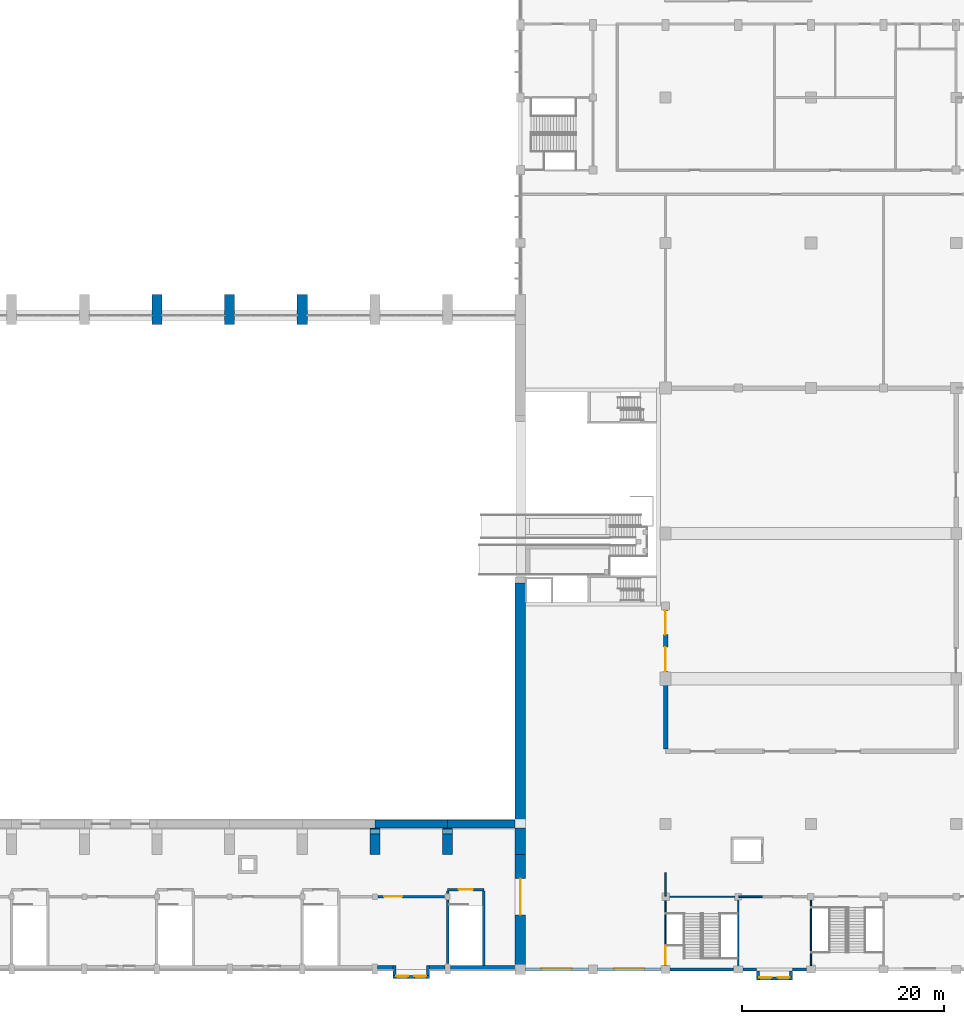
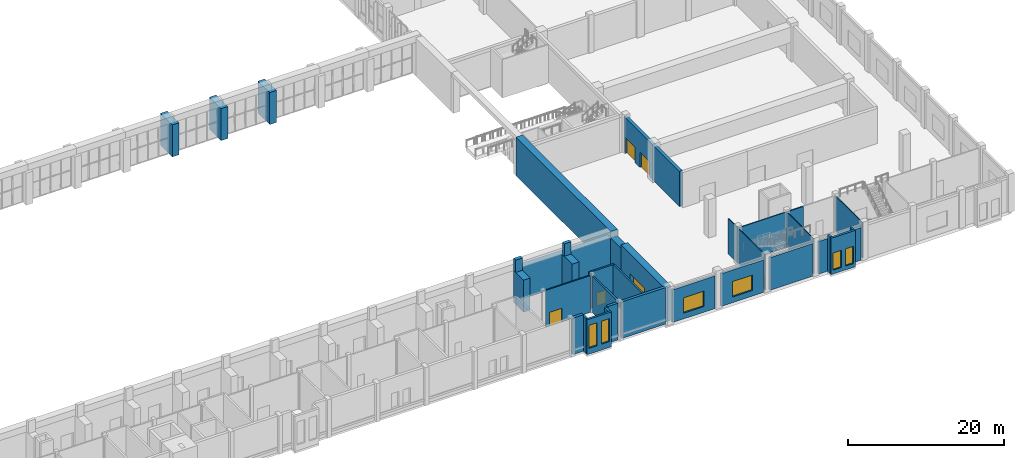
# One storey, part 32 of 44: 38 walls, 6 doors, 6 windows, 12 openings.
"""IFC4 building model written with IfcOpenShell, lengths in metres."""

from ifc_helpers import new_model, si_unit, direction, frame, frame_2d, origin, place, context, subcontext, project, spatial, rectangle, extrude, material, layer, layer_set, type_object, element, fill, save


model = new_model("IFC4")

# Units and contexts
model_context = context("Model", 3, precision=1e-05, world=origin(), true_north=direction((0.0, 1.0)))
body_context = subcontext(model_context, "Body", "Model", "MODEL_VIEW")
ifc_project = project(units=[si_unit("LENGTHUNIT", "METRE"), si_unit("AREAUNIT", "SQUARE_METRE"), si_unit("VOLUMEUNIT", "CUBIC_METRE"), si_unit("PLANEANGLEUNIT", "RADIAN"), si_unit("MASSUNIT", "GRAM", prefix="KILO")], contexts=[model_context])

# Site, building, storey
site_placement = place(None, origin())
site = spatial("IfcSite", under=ifc_project, at=site_placement, CompositionType="ELEMENT")
building_placement = place(site_placement, origin())
building = spatial("IfcBuilding", under=site, at=building_placement, Name="Vermilion Court Aquatics Centre", CompositionType="ELEMENT")
storey_placement = place(building_placement, frame((0.0, 0.0, 6.0)))
storey = spatial("IfcBuildingStorey", under=building, at=storey_placement, Name="L01", CompositionType="ELEMENT", Elevation=6.0)

# Wall
ifc_material_1 = material(Name="Concrete 5000 psi", Category="concrete")
ifc_layer_1 = layer(ifc_material_1, 1.0)
ifc_layer_set_1 = layer_set([ifc_layer_1], Name="Envelope east gable separation wall 1000")
wall_type_1 = type_object("IfcWallType", Name="Envelope east gable separation wall 1000", PredefinedType="SOLIDWALL", material=ifc_layer_set_1)
wall_1_placement = place(storey_placement, frame((144.0, 14.0, 0.0), z_axis=(0.0, 0.0, 1.0), x_axis=(0.0, 1.0, 0.0)))
element("IfcWall", 1, at=wall_1_placement, inside=storey, type_object=wall_type_1, Name="Gable wall east L01 south jamb", PredefinedType="SOLIDWALL", context=body_context, shape_type="SweptSolid", body=[
    extrude(rectangle(XDim=24.300048828125, YDim=1.0, at=frame_2d((12.14990234375, 0.0))), origin(), (0.0, 0.0, 1.0), 6.0),
])

# Wall, opening, window
ifc_material_2 = material(Name="Brick masonry", Category="masonry")
ifc_layer_2 = layer(ifc_material_2, 0.300048828125)
ifc_layer_set_2 = layer_set([ifc_layer_2], Name="Podium facade brick wall 300")
wall_type_2 = type_object("IfcWallType", Name="Podium facade brick wall 300", PredefinedType="SOLIDWALL", material=ifc_layer_set_2)
wall_2_placement = place(storey_placement, frame((144.449951171875, 0.0, 0.0), z_axis=(0.0, 0.0, 1.0), x_axis=(1.0, 0.0, 0.0)))
wall_2 = element("IfcWall", 2, at=wall_2_placement, inside=storey, type_object=wall_type_2, Name="Facade wall L01", PredefinedType="SOLIDWALL", context=body_context, shape_type="SweptSolid", body=[
    extrude(rectangle(XDim=6.300048828125, YDim=0.300048828125, at=frame_2d((3.14990234375, 0.0))), origin(), (0.0, 0.0, 1.0), 5.10009765625),
])
opening_1_placement = place(wall_2_placement, frame((1.64990234375, 0.0, 0.89990234375)))
opening_1 = element("IfcOpeningElement", 3, at=opening_1_placement, cuts=wall_2, Name="Opening PN1", PredefinedType="OPENING", context=body_context, shape_type="SweptSolid", body=[
    extrude(rectangle(XDim=3.0, YDim=2.39990234375, at=frame_2d((1.5, 1.199951171875))), frame((0.0, 0.159912109375, 0.0), z_axis=(0.0, -1.0, 0.0), x_axis=(1.0, 0.0, 0.0)), (0.0, 0.0, 1.0), 0.320068359375),
])
ifc_material_3 = material(Name="Aluminium 6063-T5", Category="aluminium")
window_type_1 = type_object("IfcWindowType", Name="Podium window 3000x2400", PartitioningType="DOUBLE_PANEL_VERTICAL", PredefinedType="WINDOW", material=ifc_material_3)
window_1_placement = place(opening_1_placement, origin())
window_1 = element("IfcWindow", 4, at=window_1_placement, inside=storey, type_object=window_type_1, Name="Window L01", OverallHeight=2.39990234375, OverallWidth=3.0, PartitioningType="DOUBLE_PANEL_VERTICAL", PredefinedType="WINDOW", context=body_context, shape_type="SweptSolid", body=[
    extrude(rectangle(XDim=3.0, YDim=2.39990234375, at=frame_2d((1.5, 1.199951171875))), frame((0.0, 0.1201171875, 0.0), z_axis=(0.0, -1.0, 0.0), x_axis=(1.0, 0.0, 0.0)), (0.0, 0.0, 1.0), 0.06005859375),
])
fill(opening_1, window_1)

wall_3_placement = place(storey_placement, frame((151.64990234375, 0.0, 0.0), z_axis=(0.0, 0.0, 1.0), x_axis=(1.0, 0.0, 0.0)))
wall_3 = element("IfcWall", 5, at=wall_3_placement, inside=storey, type_object=wall_type_2, Name="Facade wall L01", PredefinedType="SOLIDWALL", context=body_context, shape_type="SweptSolid", body=[
    extrude(rectangle(XDim=6.300048828125, YDim=0.300048828125, at=frame_2d((3.14990234375, 0.0))), origin(), (0.0, 0.0, 1.0), 5.10009765625),
])
opening_2_placement = place(wall_3_placement, frame((1.64990234375, 0.0, 0.89990234375)))
opening_2 = element("IfcOpeningElement", 6, at=opening_2_placement, cuts=wall_3, Name="Opening PN1", PredefinedType="OPENING", context=body_context, shape_type="SweptSolid", body=[
    extrude(rectangle(XDim=3.0, YDim=2.39990234375, at=frame_2d((1.5, 1.199951171875))), frame((0.0, 0.159912109375, 0.0), z_axis=(0.0, -1.0, 0.0), x_axis=(1.0, 0.0, 0.0)), (0.0, 0.0, 1.0), 0.320068359375),
])
window_2_placement = place(opening_2_placement, origin())
window_2 = element("IfcWindow", 7, at=window_2_placement, inside=storey, type_object=window_type_1, Name="Window L01", OverallHeight=2.39990234375, OverallWidth=3.0, PartitioningType="DOUBLE_PANEL_VERTICAL", PredefinedType="WINDOW", context=body_context, shape_type="SweptSolid", body=[
    extrude(rectangle(XDim=3.0, YDim=2.39990234375, at=frame_2d((1.5, 1.199951171875))), frame((0.0, 0.1201171875, 0.0), z_axis=(0.0, -1.0, 0.0), x_axis=(1.0, 0.0, 0.0)), (0.0, 0.0, 1.0), 0.06005859375),
])
fill(opening_2, window_2)

# Walls
wall_4_placement = place(storey_placement, frame((158.85009765625, 0.0, 0.0), z_axis=(0.0, 0.0, 1.0), x_axis=(1.0, 0.0, 0.0)))
element("IfcWall", 8, at=wall_4_placement, inside=storey, type_object=wall_type_2, Name="Facade wall L01", PredefinedType="SOLIDWALL", context=body_context, shape_type="SweptSolid", body=[
    extrude(rectangle(XDim=6.2998046875, YDim=0.300048828125, at=frame_2d((3.14990234375, 0.0))), origin(), (0.0, 0.0, 1.0), 5.10009765625),
])
wall_5_placement = place(storey_placement, frame((166.050048828125, 0.0, 0.0), z_axis=(0.0, 0.0, 1.0), x_axis=(1.0, 0.0, 0.0)))
element("IfcWall", 9, at=wall_5_placement, inside=storey, type_object=wall_type_2, Name="Facade wall L01", PredefinedType="SOLIDWALL", context=body_context, shape_type="SweptSolid", body=[
    extrude(rectangle(XDim=1.349853515625, YDim=0.300048828125, at=frame_2d((0.6748046875, 0.0))), origin(), (0.0, 0.0, 1.0), 5.10009765625),
])
wall_6_placement = place(storey_placement, frame((171.0, 0.0, 0.0), z_axis=(0.0, 0.0, 1.0), x_axis=(1.0, 0.0, 0.0)))
element("IfcWall", 10, at=wall_6_placement, inside=storey, type_object=wall_type_2, Name="Facade wall L01", PredefinedType="SOLIDWALL", context=body_context, shape_type="SweptSolid", body=[
    extrude(rectangle(XDim=1.35009765625, YDim=0.300048828125, at=frame_2d((0.675048828125, 0.0))), origin(), (0.0, 0.0, 1.0), 5.10009765625),
])

# Wall, openings, doors
ifc_material_4 = material(Name="Concrete masonry ASTM C90 Type I", Category="masonry")
ifc_layer_3 = layer(ifc_material_4, 0.449951171875)
ifc_layer_set_3 = layer_set([ifc_layer_3], Name="Podium fitness hall acoustic wall 450, 1 hr")
wall_type_3 = type_object("IfcWallType", Name="Podium fitness hall acoustic wall 450, 1 hr", PredefinedType="PARTITIONING", material=ifc_layer_set_3)
wall_7_placement = place(storey_placement, frame((158.39990234375, 21.824951171875, 0.0), z_axis=(0.0, 0.0, 1.0), x_axis=(0.0, 1.0, 0.0)))
wall_7 = element("IfcWall", 11, at=wall_7_placement, inside=storey, type_object=wall_type_3, Name="Fitness hall acoustic wall", PredefinedType="PARTITIONING", context=body_context, shape_type="SweptSolid", body=[
    extrude(rectangle(XDim=14.175048828125, YDim=0.449951171875, at=frame_2d((7.08740234375, 0.0))), origin(), (0.0, 0.0, 1.0), 5.5),
])
opening_3_placement = place(wall_7_placement, frame((7.701904296875, 0.0, 0.0)))
opening_3 = element("IfcOpeningElement", 12, at=opening_3_placement, cuts=wall_7, Name="Opening P01-009", PredefinedType="OPENING", context=body_context, shape_type="SweptSolid", body=[
    extrude(rectangle(XDim=2.39990234375, YDim=2.39990234375, at=frame_2d((1.199951171875, 1.199951171875))), frame((0.0, 0.23486328125, 0.0), z_axis=(0.0, -1.0, 0.0), x_axis=(1.0, 0.0, 0.0)), (0.0, 0.0, 1.0), 0.469970703125),
])
opening_4_placement = place(wall_7_placement, frame((11.3525390625, 0.0, 0.0)))
opening_4 = element("IfcOpeningElement", 13, at=opening_4_placement, cuts=wall_7, Name="Opening P01-010", PredefinedType="OPENING", context=body_context, shape_type="SweptSolid", body=[
    extrude(rectangle(XDim=2.39990234375, YDim=2.39990234375, at=frame_2d((1.199951171875, 1.199951171875))), frame((0.0, 0.23486328125, 0.0), z_axis=(0.0, -1.0, 0.0), x_axis=(1.0, 0.0, 0.0)), (0.0, 0.0, 1.0), 0.469970703125),
])
ifc_material_5 = material(Name="Hollow metal")
door_type_1 = type_object("IfcDoorType", Name="Podium fire door fitness hall pair 2400x2400, 60 min", OperationType="DOUBLE_DOOR_SINGLE_SWING", PredefinedType="DOOR", material=ifc_material_5)
door_1_placement = place(opening_3_placement, origin())
door_1 = element("IfcDoor", 14, at=door_1_placement, inside=storey, type_object=door_type_1, Name="Door", OperationType="DOUBLE_DOOR_SINGLE_SWING", OverallHeight=2.39990234375, OverallWidth=2.39990234375, PredefinedType="DOOR", context=body_context, shape_type="SweptSolid", body=[
    extrude(rectangle(XDim=2.39990234375, YDim=2.39990234375, at=frame_2d((1.199951171875, 1.199951171875))), frame((0.0, 0.02490234375, 0.0), z_axis=(0.0, -1.0, 0.0), x_axis=(1.0, 0.0, 0.0)), (0.0, 0.0, 1.0), 0.050048828125),
])
fill(opening_3, door_1)
door_2_placement = place(opening_4_placement, origin())
door_2 = element("IfcDoor", 15, at=door_2_placement, inside=storey, type_object=door_type_1, Name="Door", OperationType="DOUBLE_DOOR_SINGLE_SWING", OverallHeight=2.39990234375, OverallWidth=2.39990234375, PredefinedType="DOOR", context=body_context, shape_type="SweptSolid", body=[
    extrude(rectangle(XDim=2.39990234375, YDim=2.39990234375, at=frame_2d((1.199951171875, 1.199951171875))), frame((0.0, 0.02490234375, 0.0), z_axis=(0.0, -1.0, 0.0), x_axis=(1.0, 0.0, 0.0)), (0.0, 0.0, 1.0), 0.050048828125),
])
fill(opening_4, door_2)

# Walls
ifc_material_6 = material(Name="Gypsum board")
ifc_layer_4 = layer(ifc_material_6, 0.14990234375)
ifc_layer_set_4 = layer_set([ifc_layer_4], Name="Podium partition wall 150")
wall_type_4 = type_object("IfcWallType", Name="Podium partition wall 150", PredefinedType="PARTITIONING", material=ifc_layer_set_4)
wall_8_placement = place(storey_placement, frame((158.39990234375, 7.262451171875, 0.0), z_axis=(0.0, 0.0, 1.0), x_axis=(0.0, 1.0, 0.0)))
element("IfcWall", 16, at=wall_8_placement, inside=storey, type_object=wall_type_4, Name="Partition", PredefinedType="PARTITIONING", context=body_context, shape_type="SweptSolid", body=[
    extrude(rectangle(XDim=2.337646484375, YDim=0.14990234375, at=frame_2d((1.1689453125, 0.0))), origin(), (0.0, 0.0, 1.0), 5.5),
])
wall_9_placement = place(storey_placement, frame((165.66259765625, 7.199951171875, 0.0), z_axis=(0.0, 0.0, 1.0), x_axis=(1.0, 0.0, 0.0)))
element("IfcWall", 17, at=wall_9_placement, inside=storey, type_object=wall_type_4, Name="Partition", PredefinedType="PARTITIONING", context=body_context, shape_type="SweptSolid", body=[
    extrude(rectangle(XDim=2.33740234375, YDim=0.14990234375, at=frame_2d((1.168701171875, 0.0))), origin(), (0.0, 0.0, 1.0), 5.5),
])

# Wall, openings, windows
ifc_material_7 = material(Name="Brick masonry", Category="masonry")
ifc_layer_5 = layer(ifc_material_7, 0.300048828125)
ifc_layer_set_5 = layer_set([ifc_layer_5], Name="Podium projecting bay wall 300")
wall_type_5 = type_object("IfcWallType", Name="Podium projecting bay wall 300", PredefinedType="SOLIDWALL", material=ifc_layer_set_5)
wall_10_placement = place(storey_placement, frame((167.39990234375, -0.89990234375, 0.0), z_axis=(0.0, 0.0, 1.0), x_axis=(1.0, 0.0, 0.0)))
wall_10 = element("IfcWall", 18, at=wall_10_placement, inside=storey, type_object=wall_type_5, Name="Projecting bay front wall L01", PredefinedType="SOLIDWALL", context=body_context, shape_type="SweptSolid", body=[
    extrude(rectangle(XDim=3.60009765625, YDim=0.300048828125, at=frame_2d((1.800048828125, 0.0))), origin(), (0.0, 0.0, 1.0), 5.699951171875),
])
opening_5_placement = place(wall_10_placement, frame((0.300048828125, 0.0, 0.60009765625)))
opening_5 = element("IfcOpeningElement", 19, at=opening_5_placement, cuts=wall_10, Name="Opening PN9", PredefinedType="OPENING", context=body_context, shape_type="SweptSolid", body=[
    extrude(rectangle(XDim=1.199951171875, YDim=2.699951171875, at=frame_2d((0.60009765625, 1.35009765625))), frame((0.0, 0.159912109375, 0.0), z_axis=(0.0, -1.0, 0.0), x_axis=(1.0, 0.0, 0.0)), (0.0, 0.0, 1.0), 0.320068359375),
])
opening_6_placement = place(wall_10_placement, frame((2.10009765625, 0.0, 0.60009765625)))
opening_6 = element("IfcOpeningElement", 20, at=opening_6_placement, cuts=wall_10, Name="Opening PN9", PredefinedType="OPENING", context=body_context, shape_type="SweptSolid", body=[
    extrude(rectangle(XDim=1.199951171875, YDim=2.699951171875, at=frame_2d((0.60009765625, 1.35009765625))), frame((0.0, 0.159912109375, 0.0), z_axis=(0.0, -1.0, 0.0), x_axis=(1.0, 0.0, 0.0)), (0.0, 0.0, 1.0), 0.320068359375),
])
ifc_material_8 = material(Name="Aluminium 6063-T5", Category="aluminium")
window_type_2 = type_object("IfcWindowType", Name="Podium window 1200x2700", PartitioningType="SINGLE_PANEL", PredefinedType="WINDOW", material=ifc_material_8)
window_3_placement = place(opening_5_placement, origin())
window_3 = element("IfcWindow", 21, at=window_3_placement, inside=storey, type_object=window_type_2, Name="Bay window L01", OverallHeight=2.699951171875, OverallWidth=1.199951171875, PartitioningType="SINGLE_PANEL", PredefinedType="WINDOW", context=body_context, shape_type="SweptSolid", body=[
    extrude(rectangle(XDim=1.199951171875, YDim=2.699951171875, at=frame_2d((0.60009765625, 1.35009765625))), frame((0.0, 0.1201171875, 0.0), z_axis=(0.0, -1.0, 0.0), x_axis=(1.0, 0.0, 0.0)), (0.0, 0.0, 1.0), 0.06005859375),
])
fill(opening_5, window_3)
window_4_placement = place(opening_6_placement, origin())
window_4 = element("IfcWindow", 22, at=window_4_placement, inside=storey, type_object=window_type_2, Name="Bay window L01", OverallHeight=2.699951171875, OverallWidth=1.199951171875, PartitioningType="SINGLE_PANEL", PredefinedType="WINDOW", context=body_context, shape_type="SweptSolid", body=[
    extrude(rectangle(XDim=1.199951171875, YDim=2.699951171875, at=frame_2d((0.60009765625, 1.35009765625))), frame((0.0, 0.1201171875, 0.0), z_axis=(0.0, -1.0, 0.0), x_axis=(1.0, 0.0, 0.0)), (0.0, 0.0, 1.0), 0.06005859375),
])
fill(opening_6, window_4)

# Walls
for number, where, z_axis, x_axis, name in (
    (23, (167.550048828125, -0.75, 0.0), (0.0, 0.0, 1.0), (0.0, 1.0, 0.0), "Projecting bay side wall L01"),
    (24, (170.85009765625, -0.75, 0.0), (0.0, 0.0, 1.0), (0.0, 1.0, 0.0), "Projecting bay side wall L01"),
):
    element("IfcWall", number, at=place(storey_placement, frame(where, z_axis=z_axis, x_axis=x_axis)), inside=storey, type_object=wall_type_5, Name=name, PredefinedType="SOLIDWALL", context=body_context, shape_type="SweptSolid", body=[
        extrude(rectangle(XDim=0.60009765625, YDim=0.300048828125, at=frame_2d((0.300048828125, 0.0))), origin(), (0.0, 0.0, 1.0), 5.699951171875),
    ])

# Wall, opening, door
ifc_material_9 = material(Name="Concrete 5000 psi", Category="concrete")
ifc_layer_6 = layer(ifc_material_9, 0.125)
ifc_layer_set_6 = layer_set([ifc_layer_6], Name="Podium stair enclosure wall 125, 2 hr")
wall_type_6 = type_object("IfcWallType", Name="Podium stair enclosure wall 125, 2 hr", PredefinedType="SOLIDWALL", material=ifc_layer_set_6)
wall_11_placement = place(storey_placement, frame((158.39990234375, 0.14990234375, 0.0), z_axis=(0.0, 0.0, 1.0), x_axis=(0.0, 1.0, 0.0)))
wall_11 = element("IfcWall", 25, at=wall_11_placement, inside=storey, type_object=wall_type_6, Name="Stair enclosure wall", PredefinedType="SOLIDWALL", context=body_context, shape_type="SweptSolid", body=[
    extrude(rectangle(XDim=6.987548828125, YDim=0.125, at=frame_2d((3.49365234375, 0.0))), origin(), (0.0, 0.0, 1.0), 5.5),
])
opening_7_placement = place(wall_11_placement, frame((0.35009765625, 0.0, 0.0)))
opening_7 = element("IfcOpeningElement", 26, at=opening_7_placement, cuts=wall_11, Name="Opening P01-002", PredefinedType="OPENING", context=body_context, shape_type="SweptSolid", body=[
    extrude(rectangle(XDim=1.800048828125, YDim=2.10009765625, at=frame_2d((0.89990234375, 1.050048828125))), frame((0.0, 0.072509765625, 0.0), z_axis=(0.0, -1.0, 0.0), x_axis=(1.0, 0.0, 0.0)), (0.0, 0.0, 1.0), 0.14501953125),
])
ifc_material_10 = material(Name="Hollow metal")
door_type_2 = type_object("IfcDoorType", Name="Podium fire door stair pair 1800x2100, 90 min", OperationType="DOUBLE_DOOR_SINGLE_SWING", PredefinedType="DOOR", material=ifc_material_10)
door_3_placement = place(opening_7_placement, frame((1.800048828125, 0.0, 0.0), z_axis=(0.0, 0.0, 1.0), x_axis=(-1.0, 0.0, 0.0)))
door_3 = element("IfcDoor", 27, at=door_3_placement, inside=storey, type_object=door_type_2, Name="Door", OperationType="DOUBLE_DOOR_SINGLE_SWING", OverallHeight=2.10009765625, OverallWidth=1.800048828125, PredefinedType="DOOR", context=body_context, shape_type="SweptSolid", body=[
    extrude(rectangle(XDim=1.800048828125, YDim=2.10009765625, at=frame_2d((0.900146484375, 1.050048828125))), frame((0.0, 0.025146484375, 0.0), z_axis=(0.0, -1.0, 0.0), x_axis=(1.0, 0.0, 0.0)), (0.0, 0.0, 1.0), 0.050048828125),
])
fill(opening_7, door_3)

# Walls
wall_12_placement = place(storey_placement, frame((165.60009765625, 0.14990234375, 0.0), z_axis=(0.0, 0.0, 1.0), x_axis=(0.0, 1.0, 0.0)))
element("IfcWall", 28, at=wall_12_placement, inside=storey, type_object=wall_type_6, Name="Stair enclosure wall", PredefinedType="SOLIDWALL", context=body_context, shape_type="SweptSolid", body=[
    extrude(rectangle(XDim=6.987548828125, YDim=0.125, at=frame_2d((3.49365234375, 0.0))), origin(), (0.0, 0.0, 1.0), 5.5),
])
wall_13_placement = place(storey_placement, frame((158.33740234375, 7.199951171875, 0.0), z_axis=(0.0, 0.0, 1.0), x_axis=(1.0, 0.0, 0.0)))
element("IfcWall", 29, at=wall_13_placement, inside=storey, type_object=wall_type_6, Name="Stair enclosure wall", PredefinedType="SOLIDWALL", context=body_context, shape_type="SweptSolid", body=[
    extrude(rectangle(XDim=7.3251953125, YDim=0.125, at=frame_2d((3.66259765625, 0.0))), origin(), (0.0, 0.0, 1.0), 5.5),
])
wall_14_placement = place(storey_placement, frame((172.800048828125, 0.14990234375, 0.0), z_axis=(0.0, 0.0, 1.0), x_axis=(0.0, 1.0, 0.0)))
element("IfcWall", 30, at=wall_14_placement, inside=storey, type_object=wall_type_6, Name="Stair enclosure wall", PredefinedType="SOLIDWALL", context=body_context, shape_type="SweptSolid", body=[
    extrude(rectangle(XDim=7.112548828125, YDim=0.125, at=frame_2d((3.55615234375, 0.0))), origin(), (0.0, 0.0, 1.0), 5.5),
])

# Wall, opening, door
ifc_material_11 = material(Name="Concrete 5000 psi", Category="concrete")
ifc_layer_7 = layer(ifc_material_11, 1.0)
ifc_layer_set_7 = layer_set([ifc_layer_7], Name="Podium wing end wall 1000")
wall_type_7 = type_object("IfcWallType", Name="Podium wing end wall 1000", PredefinedType="SOLIDWALL", material=ifc_layer_set_7)
wall_15_placement = place(storey_placement, frame((144.0, 0.39990234375, 0.0), z_axis=(0.0, 0.0, 1.0), x_axis=(0.0, 1.0, 0.0)))
wall_15 = element("IfcWall", 31, at=wall_15_placement, inside=storey, type_object=wall_type_7, Name="Wing end wall L01", PredefinedType="SOLIDWALL", context=body_context, shape_type="SweptSolid", body=[
    extrude(rectangle(XDim=11.0, YDim=1.0, at=frame_2d((5.5, 0.0))), origin(), (0.0, 0.0, 1.0), 5.5),
])
opening_8_placement = place(wall_15_placement, frame((5.0, 0.0, 0.0)))
opening_8 = element("IfcOpeningElement", 32, at=opening_8_placement, cuts=wall_15, Name="Opening P01-001", PredefinedType="OPENING", context=body_context, shape_type="SweptSolid", body=[
    extrude(rectangle(XDim=3.60009765625, YDim=2.39990234375, at=frame_2d((1.800048828125, 1.199951171875))), frame((0.0, 0.510009765625, 0.0), z_axis=(0.0, -1.0, 0.0), x_axis=(1.0, 0.0, 0.0)), (0.0, 0.0, 1.0), 1.02001953125),
])
ifc_material_12 = material(Name="Hollow metal")
door_type_3 = type_object("IfcDoorType", Name="Podium fire door pair 3600x2400, 90 min", OperationType="DOUBLE_DOOR_SINGLE_SWING", PredefinedType="DOOR", material=ifc_material_12)
door_4_placement = place(opening_8_placement, origin())
door_4 = element("IfcDoor", 33, at=door_4_placement, inside=storey, type_object=door_type_3, Name="Concourse link door", OperationType="DOUBLE_DOOR_SINGLE_SWING", OverallHeight=2.39990234375, OverallWidth=3.60009765625, PredefinedType="DOOR", context=body_context, shape_type="SweptSolid", body=[
    extrude(rectangle(XDim=3.60009765625, YDim=2.39990234375, at=frame_2d((1.800048828125, 1.199951171875))), frame((0.0, 0.02490234375, 0.0), z_axis=(0.0, -1.0, 0.0), x_axis=(1.0, 0.0, 0.0)), (0.0, 0.0, 1.0), 0.050048828125),
])
fill(opening_8, door_4)

# Walls
ifc_material_13 = material(Name="Concrete 5000 psi", Category="concrete")
ifc_layer_8 = layer(ifc_material_13, 1.0)
ifc_layer_set_8 = layer_set([ifc_layer_8], Name="Roof buttress pier")
wall_type_8 = type_object("IfcWallType", Name="Roof buttress pier", PredefinedType="SOLIDWALL", material=ifc_layer_set_8)
for number, where, z_axis, x_axis, name in (
    (34, (108.0, 63.89990234375, 0.0), (0.0, 0.0, 1.0), (0.0, 1.0, 0.0), "Buttress pier BPN14"),
    (35, (115.199951171875, 63.89990234375, 0.0), (0.0, 0.0, 1.0), (0.0, 1.0, 0.0), "Buttress pier BPN15"),
    (36, (122.39990234375, 63.89990234375, 0.0), (0.0, 0.0, 1.0), (0.0, 1.0, 0.0), "Buttress pier BPN16"),
):
    element("IfcWall", number, at=place(storey_placement, frame(where, z_axis=z_axis, x_axis=x_axis)), inside=storey, type_object=wall_type_8, Name=name, PredefinedType="SOLIDWALL", context=body_context, shape_type="SweptSolid", body=[
        extrude(rectangle(XDim=3.0, YDim=1.0, at=frame_2d((1.5, 0.0))), origin(), (0.0, 0.0, 1.0), 5.0),
    ])
for number, where, z_axis, x_axis, name in (
    (37, (129.60009765625, 11.39990234375, 0.0), (0.0, 0.0, 1.0), (0.0, 1.0, 0.0), "Buttress pier BPS17"),
    (38, (136.800048828125, 11.39990234375, 0.0), (0.0, 0.0, 1.0), (0.0, 1.0, 0.0), "Buttress pier BPS18"),
    (39, (144.0, 11.39990234375, 0.0), (0.0, 0.0, 1.0), (0.0, 1.0, 0.0), "Buttress pier BPS19"),
):
    element("IfcWall", number, at=place(storey_placement, frame(where, z_axis=z_axis, x_axis=x_axis)), inside=storey, type_object=wall_type_8, Name=name, PredefinedType="SOLIDWALL", context=body_context, shape_type="SweptSolid", body=[
        extrude(rectangle(XDim=2.60009765625, YDim=1.0, at=frame_2d((1.300048828125, 0.0))), origin(), (0.0, 0.0, 1.0), 5.0),
    ])

# Wall, openings, windows
ifc_material_14 = material(Name="Brick masonry", Category="masonry")
ifc_layer_9 = layer(ifc_material_14, 0.300048828125)
ifc_layer_set_9 = layer_set([ifc_layer_9], Name="South bay wall 300")
wall_type_9 = type_object("IfcWallType", Name="South bay wall 300", PredefinedType="SOLIDWALL", material=ifc_layer_set_9)
wall_16_placement = place(storey_placement, frame((131.39990234375, -0.75, 0.0), z_axis=(0.0, 0.0, 1.0), x_axis=(1.0, 0.0, 0.0)))
wall_16 = element("IfcWall", 40, at=wall_16_placement, inside=storey, type_object=wall_type_9, Name="South bay front wall", PredefinedType="SOLIDWALL", context=body_context, shape_type="SweptSolid", body=[
    extrude(rectangle(XDim=3.60009765625, YDim=0.300048828125, at=frame_2d((1.800048828125, 0.0))), origin(), (0.0, 0.0, 1.0), 5.449951171875),
])
opening_9_placement = place(wall_16_placement, frame((0.300048828125, 0.0, 0.89990234375)))
opening_9 = element("IfcOpeningElement", 41, at=opening_9_placement, cuts=wall_16, Name="Opening SWN6", PredefinedType="OPENING", context=body_context, shape_type="SweptSolid", body=[
    extrude(rectangle(XDim=1.199951171875, YDim=3.60009765625, at=frame_2d((0.60009765625, 1.800048828125))), frame((0.0, 0.159912109375, 0.0), z_axis=(0.0, -1.0, 0.0), x_axis=(1.0, 0.0, 0.0)), (0.0, 0.0, 1.0), 0.320068359375),
])
opening_10_placement = place(wall_16_placement, frame((2.10009765625, 0.0, 0.89990234375)))
opening_10 = element("IfcOpeningElement", 42, at=opening_10_placement, cuts=wall_16, Name="Opening SWN6", PredefinedType="OPENING", context=body_context, shape_type="SweptSolid", body=[
    extrude(rectangle(XDim=1.199951171875, YDim=3.60009765625, at=frame_2d((0.60009765625, 1.800048828125))), frame((0.0, 0.159912109375, 0.0), z_axis=(0.0, -1.0, 0.0), x_axis=(1.0, 0.0, 0.0)), (0.0, 0.0, 1.0), 0.320068359375),
])
ifc_material_15 = material(Name="Aluminium 6063-T5", Category="aluminium")
window_type_3 = type_object("IfcWindowType", Name="South tall window 1200x3600", PartitioningType="DOUBLE_PANEL_VERTICAL", PredefinedType="WINDOW", material=ifc_material_15)
window_5_placement = place(opening_9_placement, origin())
window_5 = element("IfcWindow", 43, at=window_5_placement, inside=storey, type_object=window_type_3, Name="Bay tall window", OverallHeight=3.60009765625, OverallWidth=1.199951171875, PartitioningType="DOUBLE_PANEL_VERTICAL", PredefinedType="WINDOW", context=body_context, shape_type="SweptSolid", body=[
    extrude(rectangle(XDim=1.199951171875, YDim=3.60009765625, at=frame_2d((0.60009765625, 1.800048828125))), frame((0.0, 0.130126953125, 0.0), z_axis=(0.0, -1.0, 0.0), x_axis=(1.0, 0.0, 0.0)), (0.0, 0.0, 1.0), 0.06005859375),
])
fill(opening_9, window_5)
window_6_placement = place(opening_10_placement, origin())
window_6 = element("IfcWindow", 44, at=window_6_placement, inside=storey, type_object=window_type_3, Name="Bay tall window", OverallHeight=3.60009765625, OverallWidth=1.199951171875, PartitioningType="DOUBLE_PANEL_VERTICAL", PredefinedType="WINDOW", context=body_context, shape_type="SweptSolid", body=[
    extrude(rectangle(XDim=1.199951171875, YDim=3.60009765625, at=frame_2d((0.60009765625, 1.800048828125))), frame((0.0, 0.130126953125, 0.0), z_axis=(0.0, -1.0, 0.0), x_axis=(1.0, 0.0, 0.0)), (0.0, 0.0, 1.0), 0.06005859375),
])
fill(opening_10, window_6)

# Walls
for number, where, z_axis, x_axis, name in (
    (45, (131.550048828125, -0.60009765625, 0.0), (0.0, 0.0, 1.0), (0.0, 1.0, 0.0), "South bay jamb pier"),
    (46, (134.85009765625, -0.60009765625, 0.0), (0.0, 0.0, 1.0), (0.0, 1.0, 0.0), "South bay jamb pier"),
):
    element("IfcWall", number, at=place(storey_placement, frame(where, z_axis=z_axis, x_axis=x_axis)), inside=storey, type_object=wall_type_9, Name=name, PredefinedType="SOLIDWALL", context=body_context, shape_type="SweptSolid", body=[
        extrude(rectangle(XDim=1.0, YDim=0.300048828125, at=frame_2d((0.5, 0.0))), origin(), (0.0, 0.0, 1.0), 5.449951171875),
    ])
ifc_material_16 = material(Name="Brick masonry", Category="masonry")
ifc_layer_10 = layer(ifc_material_16, 0.39990234375)
ifc_layer_set_10 = layer_set([ifc_layer_10], Name="South brick facade wall 400")
wall_type_10 = type_object("IfcWallType", Name="South brick facade wall 400", PredefinedType="SOLIDWALL", material=ifc_layer_set_10)
for number, where, z_axis, x_axis, name in (
    (47, (129.875, 0.199951171875, 0.0), (0.0, 0.0, 1.0), (1.0, 0.0, 0.0), "Brick facade wall"),
    (48, (135.0, 0.199951171875, 0.0), (0.0, 0.0, 1.0), (1.0, 0.0, 0.0), "Brick facade wall"),
):
    element("IfcWall", number, at=place(storey_placement, frame(where, z_axis=z_axis, x_axis=x_axis)), inside=storey, type_object=wall_type_10, Name=name, PredefinedType="SOLIDWALL", context=body_context, shape_type="SweptSolid", body=[
        extrude(rectangle(XDim=1.52490234375, YDim=0.39990234375, at=frame_2d((0.762451171875, 0.0))), origin(), (0.0, 0.0, 1.0), 5.72509765625),
    ])
wall_17_placement = place(storey_placement, frame((137.074951171875, 0.199951171875, 0.0), z_axis=(0.0, 0.0, 1.0), x_axis=(1.0, 0.0, 0.0)))
element("IfcWall", 49, at=wall_17_placement, inside=storey, type_object=wall_type_10, Name="Brick facade wall", PredefinedType="SOLIDWALL", context=body_context, shape_type="SweptSolid", body=[
    extrude(rectangle(XDim=6.47509765625, YDim=0.39990234375, at=frame_2d((3.237548828125, 0.0))), origin(), (0.0, 0.0, 1.0), 5.72509765625),
])

# Wall, opening, door
ifc_material_17 = material(Name="Concrete masonry ASTM C90 Type I", Category="masonry")
ifc_layer_11 = layer(ifc_material_17, 0.199951171875)
ifc_layer_set_11 = layer_set([ifc_layer_11], Name="South partition wall 200")
wall_type_11 = type_object("IfcWallType", Name="South partition wall 200", PredefinedType="PARTITIONING", material=ifc_layer_set_11)
wall_18_placement = place(storey_placement, frame((129.89990234375, 7.199951171875, 0.0), z_axis=(0.0, 0.0, 1.0), x_axis=(1.0, 0.0, 0.0)))
wall_18 = element("IfcWall", 50, at=wall_18_placement, inside=storey, type_object=wall_type_11, Name="Partition wall", PredefinedType="PARTITIONING", context=body_context, shape_type="SweptSolid", body=[
    extrude(rectangle(XDim=6.60009765625, YDim=0.199951171875, at=frame_2d((3.300048828125, 0.0))), origin(), (0.0, 0.0, 1.0), 5.72509765625),
])
opening_11_placement = place(wall_18_placement, frame((0.60009765625, 0.0, 0.0)))
opening_11 = element("IfcOpeningElement", 51, at=opening_11_placement, cuts=wall_18, Name="Opening S01-016", PredefinedType="OPENING", context=body_context, shape_type="SweptSolid", body=[
    extrude(rectangle(XDim=1.800048828125, YDim=2.10009765625, at=frame_2d((0.89990234375, 1.050048828125))), frame((0.0, 0.10986328125, 0.0), z_axis=(0.0, -1.0, 0.0), x_axis=(1.0, 0.0, 0.0)), (0.0, 0.0, 1.0), 0.219970703125),
])
ifc_material_18 = material(Name="Hollow metal", Category="metal")
door_type_4 = type_object("IfcDoorType", Name="South range double door 1800", OperationType="DOUBLE_DOOR_SINGLE_SWING", PredefinedType="DOOR", material=ifc_material_18)
door_5_placement = place(opening_11_placement, origin())
door_5 = element("IfcDoor", 52, at=door_5_placement, inside=storey, type_object=door_type_4, Name="Spectator Lounge door", OperationType="DOUBLE_DOOR_SINGLE_SWING", OverallHeight=2.10009765625, OverallWidth=1.800048828125, PredefinedType="DOOR", context=body_context, shape_type="SweptSolid", body=[
    extrude(rectangle(XDim=1.800048828125, YDim=2.10009765625, at=frame_2d((0.89990234375, 1.050048828125))), frame((0.0, 0.02490234375, 0.0), z_axis=(0.0, -1.0, 0.0), x_axis=(1.0, 0.0, 0.0)), (0.0, 0.0, 1.0), 0.050048828125),
])
fill(opening_11, door_5)

# Walls
ifc_material_19 = material(Name="Concrete 5000 psi", Category="concrete")
ifc_layer_12 = layer(ifc_material_19, 0.5)
ifc_layer_set_12 = layer_set([ifc_layer_12], Name="South roof valley post 500")
wall_type_12 = type_object("IfcWallType", Name="South roof valley post 500", PredefinedType="SOLIDWALL", material=ifc_layer_set_12)
for number, where, z_axis, x_axis, name in (
    (53, (129.10009765625, 13.64990234375, 5.0), (0.0, 0.0, 1.0), (1.0, 0.0, 0.0), "South roof valley post"),
    (54, (136.300048828125, 13.64990234375, 5.0), (0.0, 0.0, 1.0), (1.0, 0.0, 0.0), "South roof valley post"),
):
    element("IfcWall", number, at=place(storey_placement, frame(where, z_axis=z_axis, x_axis=x_axis)), inside=storey, type_object=wall_type_12, Name=name, PredefinedType="SOLIDWALL", context=body_context, shape_type="SweptSolid", body=[
        extrude(rectangle(XDim=1.0, YDim=0.5, at=frame_2d((0.5, 0.0))), origin(), (0.0, 0.0, 1.0), 1.932373046875),
    ])
ifc_material_20 = material(Name="Concrete 5000 psi", Category="concrete")
ifc_layer_13 = layer(ifc_material_20, 0.25)
ifc_layer_set_13 = layer_set([ifc_layer_13], Name="South upper stair wall 250")
wall_type_13 = type_object("IfcWallType", Name="South upper stair wall 250", PredefinedType="SOLIDWALL", material=ifc_layer_set_13)
wall_19_placement = place(storey_placement, frame((136.800048828125, 0.60009765625, 0.0), z_axis=(0.0, 0.0, 1.0), x_axis=(0.0, 1.0, 0.0)))
element("IfcWall", 55, at=wall_19_placement, inside=storey, type_object=wall_type_13, Name="Stair enclosure wall", PredefinedType="SOLIDWALL", context=body_context, shape_type="SweptSolid", body=[
    extrude(rectangle(XDim=6.2998046875, YDim=0.25, at=frame_2d((3.14990234375, 0.0))), origin(), (0.0, 0.0, 1.0), 5.72509765625),
])
wall_20_placement = place(storey_placement, frame((136.800048828125, 7.5, 0.0), z_axis=(0.0, 0.0, 1.0), x_axis=(0.0, 1.0, 0.0)))
element("IfcWall", 56, at=wall_20_placement, inside=storey, type_object=wall_type_13, Name="Stair enclosure wall", PredefinedType="SOLIDWALL", context=body_context, shape_type="SweptSolid", body=[
    extrude(rectangle(XDim=0.27490234375, YDim=0.25, at=frame_2d((0.137451171875, 0.0))), origin(), (0.0, 0.0, 1.0), 5.72509765625),
])
wall_21_placement = place(storey_placement, frame((140.39990234375, 0.39990234375, 0.0), z_axis=(0.0, 0.0, 1.0), x_axis=(0.0, 1.0, 0.0)))
element("IfcWall", 57, at=wall_21_placement, inside=storey, type_object=wall_type_13, Name="Stair enclosure wall", PredefinedType="SOLIDWALL", context=body_context, shape_type="SweptSolid", body=[
    extrude(rectangle(XDim=7.375, YDim=0.25, at=frame_2d((3.6875, 0.0))), origin(), (0.0, 0.0, 1.0), 5.72509765625),
])

# Wall, opening, door
wall_22_placement = place(storey_placement, frame((136.800048828125, 7.89990234375, 0.0), z_axis=(0.0, 0.0, 1.0), x_axis=(1.0, 0.0, 0.0)))
wall_22 = element("IfcWall", 58, at=wall_22_placement, inside=storey, type_object=wall_type_13, Name="Stair enclosure wall", PredefinedType="SOLIDWALL", context=body_context, shape_type="SweptSolid", body=[
    extrude(rectangle(XDim=3.599853515625, YDim=0.25, at=frame_2d((1.7998046875, 0.0))), origin(), (0.0, 0.0, 1.0), 5.72509765625),
])
opening_12_placement = place(wall_22_placement, frame((1.10009765625, 0.0, 0.0)))
opening_12 = element("IfcOpeningElement", 59, at=opening_12_placement, cuts=wall_22, Name="Opening S01-008", PredefinedType="OPENING", context=body_context, shape_type="SweptSolid", body=[
    extrude(rectangle(XDim=1.39990234375, YDim=2.10009765625, at=frame_2d((0.699951171875, 1.050048828125))), frame((0.0, 0.135009765625, 0.0), z_axis=(0.0, -1.0, 0.0), x_axis=(1.0, 0.0, 0.0)), (0.0, 0.0, 1.0), 0.27001953125),
])
ifc_material_21 = material(Name="Hollow metal", Category="metal")
door_type_5 = type_object("IfcDoorType", Name="South stair door 1400", OperationType="DOUBLE_DOOR_SINGLE_SWING", PredefinedType="DOOR", material=ifc_material_21)
door_6_placement = place(opening_12_placement, frame((1.39990234375, 0.0, 0.0), z_axis=(0.0, 0.0, 1.0), x_axis=(-1.0, 0.0, 0.0)))
door_6 = element("IfcDoor", 60, at=door_6_placement, inside=storey, type_object=door_type_5, Name="Exit stair S8 door", OperationType="DOUBLE_DOOR_SINGLE_SWING", OverallHeight=2.10009765625, OverallWidth=1.39990234375, PredefinedType="DOOR", context=body_context, shape_type="SweptSolid", body=[
    extrude(rectangle(XDim=1.39990234375, YDim=2.10009765625, at=frame_2d((0.699951171875, 1.050048828125))), frame((0.0, 0.025146484375, 0.0), z_axis=(0.0, -1.0, 0.0), x_axis=(1.0, 0.0, 0.0)), (0.0, 0.0, 1.0), 0.050048828125),
])
fill(opening_12, door_6)

# Walls
ifc_material_22 = material(Name="Concrete 5000 psi", Category="concrete")
ifc_layer_14 = layer(ifc_material_22, 0.800048828125)
ifc_layer_set_14 = layer_set([ifc_layer_14], Name="Tribune back wall 800")
wall_type_14 = type_object("IfcWallType", Name="Tribune back wall 800", PredefinedType="SOLIDWALL", material=ifc_layer_set_14)
wall_23_placement = place(storey_placement, frame((129.60009765625, 14.39990234375, 0.0), z_axis=(0.0, 0.0, 1.0), x_axis=(1.0, 0.0, 0.0)))
element("IfcWall", 61, at=wall_23_placement, inside=storey, type_object=wall_type_14, Name="South hall wall", PredefinedType="SOLIDWALL", context=body_context, shape_type="SweptSolid", body=[
    extrude(rectangle(XDim=7.199951171875, YDim=0.800048828125, at=frame_2d((3.60009765625, 0.0))), origin(), (0.0, 0.0, 1.0), 5.0),
])
wall_24_placement = place(storey_placement, frame((136.800048828125, 14.39990234375, 0.0), z_axis=(0.0, 0.0, 1.0), x_axis=(1.0, 0.0, 0.0)))
element("IfcWall", 62, at=wall_24_placement, inside=storey, type_object=wall_type_14, Name="South hall wall", PredefinedType="SOLIDWALL", context=body_context, shape_type="SweptSolid", body=[
    extrude(rectangle(XDim=6.699951171875, YDim=0.800048828125, at=frame_2d((3.35009765625, 0.0))), origin(), (0.0, 0.0, 1.0), 5.0),
])

save(model, "model.ifc")
